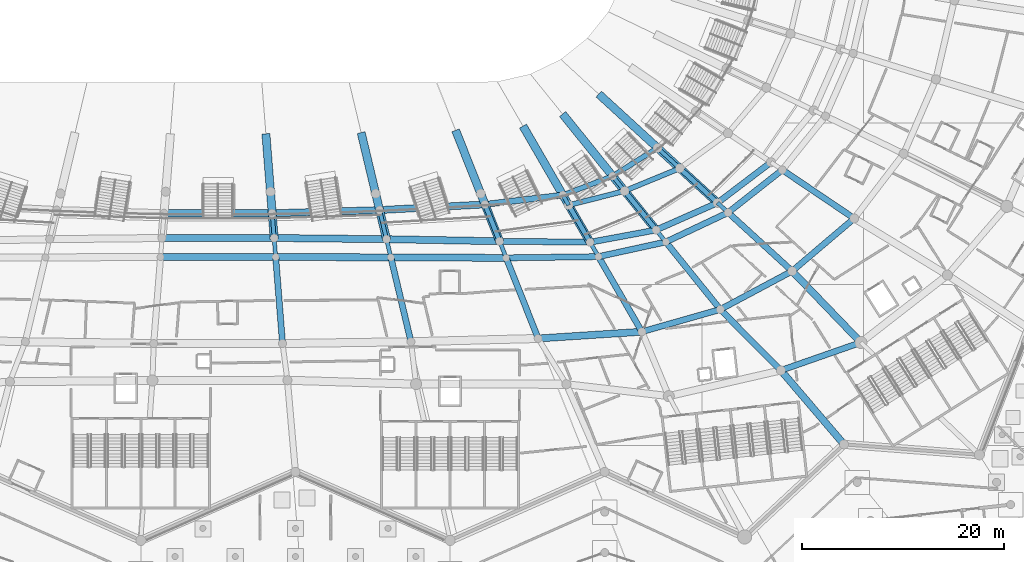
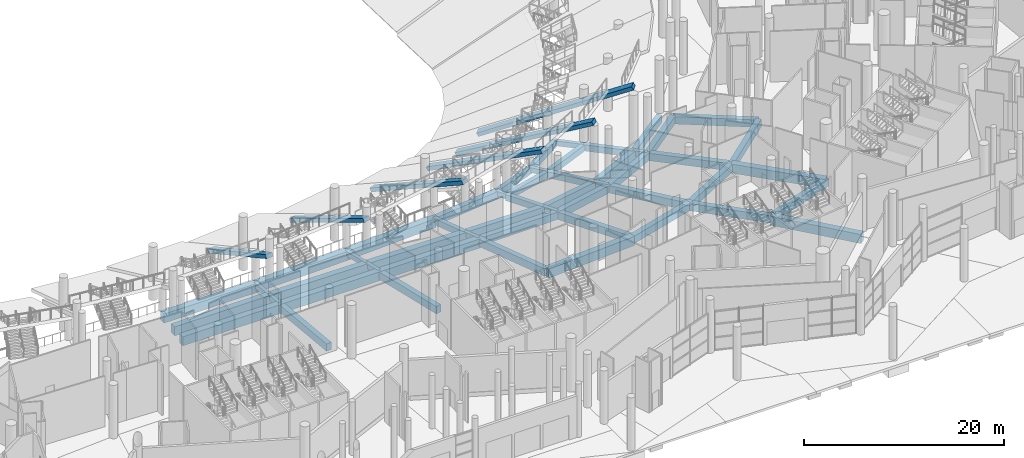
# One storey, part 32 of 255: 64 beams.
"""IFC4 building model written with IfcOpenShell, lengths in metres."""

from ifc_helpers import new_model, si_unit, direction, frame, origin, origin_2d, place, context, subcontext, project, spatial, rectangle, extrude, material, material_profile, profile_set, type_object, element, save


model = new_model("IFC4")

# Units and contexts
model_context = context("Model", 3, precision=1e-05, world=origin(), true_north=direction((0.0, 1.0)))
body_context = subcontext(model_context, "Body", "Model", "MODEL_VIEW")
ifc_project = project(units=[si_unit("LENGTHUNIT", "METRE"), si_unit("AREAUNIT", "SQUARE_METRE"), si_unit("VOLUMEUNIT", "CUBIC_METRE"), si_unit("PLANEANGLEUNIT", "RADIAN"), si_unit("MASSUNIT", "GRAM", prefix="KILO")], contexts=[model_context])

# Site, building, storey
site_placement = place(None, origin())
site = spatial("IfcSite", under=ifc_project, at=site_placement, CompositionType="ELEMENT")
building_placement = place(site_placement, origin())
building = spatial("IfcBuilding", under=site, at=building_placement, Name="Meseta Stadium", CompositionType="ELEMENT")
storey_placement = place(building_placement, origin())
storey = spatial("IfcBuildingStorey", under=building, at=storey_placement, Name="L00", CompositionType="ELEMENT", Elevation=0.0)

# Beams
ifc_material_1 = material(Name="Concrete C40/50", Category="concrete")
ifc_material_profile_1 = material_profile(ifc_material_1, rectangle(XDim=0.39990234375, YDim=0.60009765625, at=origin_2d()), Name="RC 400x600")
ifc_profile_set_1 = profile_set([ifc_material_profile_1], Name="Concrete C40/50")
beam_type_1 = type_object("IfcBeamType", Name="RC beam 400x600", PredefinedType="BEAM", material=ifc_profile_set_1)
beam_1_placement = place(storey_placement, frame((5.36181640625, -72.959228515625, -0.699951171875), z_axis=(0.079091287257, -0.996867377478, 0.0), x_axis=(0.996867377478, 0.079091287257, 0.0)))
element("IfcBeam", 1, at=beam_1_placement, inside=storey, type_object=beam_type_1, Name="L00 radial beam frame 47 line B to C", PredefinedType="BEAM", context=body_context, shape_type="SweptSolid", body=[
    extrude(rectangle(XDim=0.39990234375, YDim=0.60009765625, at=origin_2d()), origin(), (0.0, 0.0, 1.0), 2.46337890625),
])
beam_2_placement = place(storey_placement, frame((5.556640625, -75.414794921875, -0.699951171875), z_axis=(0.079110203973, -0.996865876448, 0.0), x_axis=(0.996865876448, 0.079110203973, 0.0)))
element("IfcBeam", 2, at=beam_2_placement, inside=storey, type_object=beam_type_1, Name="L00 radial beam frame 47 line C to D", PredefinedType="BEAM", context=body_context, shape_type="SweptSolid", body=[
    extrude(rectangle(XDim=0.39990234375, YDim=0.60009765625, at=origin_2d()), origin(), (0.0, 0.0, 1.0), 1.894775390625),
])
beam_3_placement = place(storey_placement, frame((16.010986328125, -72.646484375, -0.699951171875), z_axis=(0.231665078312, -0.972795606225, 0.0), x_axis=(0.972795606225, 0.231665078312, 0.0)))
element("IfcBeam", 3, at=beam_3_placement, inside=storey, type_object=beam_type_1, Name="L00 radial beam frame 48 line B to C", PredefinedType="BEAM", context=body_context, shape_type="SweptSolid", body=[
    extrude(rectangle(XDim=0.39990234375, YDim=0.60009765625, at=origin_2d()), origin(), (0.0, 0.0, 1.0), 2.96337890625),
])
beam_4_placement = place(storey_placement, frame((16.697509765625, -75.529296875, -0.699951171875), z_axis=(0.231608653228, -0.97280904177, 0.0), x_axis=(0.97280904177, 0.231608653228, 0.0)))
element("IfcBeam", 4, at=beam_4_placement, inside=storey, type_object=beam_type_1, Name="L00 radial beam frame 48 line C to D", PredefinedType="BEAM", context=body_context, shape_type="SweptSolid", body=[
    extrude(rectangle(XDim=0.39990234375, YDim=0.60009765625, at=origin_2d()), origin(), (0.0, 0.0, 1.0), 1.85302734375),
])
beam_5_placement = place(storey_placement, frame((27.910888671875, -75.735595703125, -0.699951171875), z_axis=(0.368824744702, -0.929498955188, 0.0), x_axis=(0.929498955188, 0.368824744702, 0.0)))
element("IfcBeam", 5, at=beam_5_placement, inside=storey, type_object=beam_type_1, Name="L00 radial beam frame 49 line C to D", PredefinedType="BEAM", context=body_context, shape_type="SweptSolid", body=[
    extrude(rectangle(XDim=0.39990234375, YDim=0.60009765625, at=origin_2d()), origin(), (0.0, 0.0, 1.0), 1.772705078125),
])
beam_6_placement = place(storey_placement, frame((34.185302734375, -71.16064453125, -0.699951171875), z_axis=(0.500408466565, -0.865789447031, 0.0), x_axis=(0.865789447031, 0.500408466565, 0.0)))
element("IfcBeam", 6, at=beam_6_placement, inside=storey, type_object=beam_type_1, Name="L00 radial beam frame 50 line B to U", PredefinedType="BEAM", context=body_context, shape_type="SweptSolid", body=[
    extrude(rectangle(XDim=0.39990234375, YDim=0.60009765625, at=origin_2d()), origin(), (0.0, 0.0, 1.0), 1.14990234375),
])
beam_7_placement = place(storey_placement, frame((36.885986328125, -75.8330078125, -0.699951171875), z_axis=(0.500371262739, -0.865810949009, 0.0), x_axis=(0.865810949009, 0.500371262739, 0.0)))
element("IfcBeam", 7, at=beam_7_placement, inside=storey, type_object=beam_type_1, Name="L00 radial beam frame 50 line C to D", PredefinedType="BEAM", context=body_context, shape_type="SweptSolid", body=[
    extrude(rectangle(XDim=0.39990234375, YDim=0.60009765625, at=origin_2d()), origin(), (0.0, 0.0, 1.0), 1.650146484375),
])
beam_8_placement = place(storey_placement, frame((39.11865234375, -69.274658203125, -0.699951171875), z_axis=(0.628006940143, -0.778207737775, 0.0), x_axis=(0.778207737775, 0.628006940143, 0.0)))
element("IfcBeam", 8, at=beam_8_placement, inside=storey, type_object=beam_type_1, Name="L00 radial beam frame 51 line B to U", PredefinedType="BEAM", context=body_context, shape_type="SweptSolid", body=[
    extrude(rectangle(XDim=0.39990234375, YDim=0.60009765625, at=origin_2d()), origin(), (0.0, 0.0, 1.0), 1.8935546875),
])
beam_9_placement = place(storey_placement, frame((43.430419921875, -74.617431640625, -0.699951171875), z_axis=(0.628002290607, -0.778211489887, 0.0), x_axis=(0.778211489887, 0.628002290607, 0.0)))
element("IfcBeam", 9, at=beam_9_placement, inside=storey, type_object=beam_type_1, Name="L00 radial beam frame 51 line C to D", PredefinedType="BEAM", context=body_context, shape_type="SweptSolid", body=[
    extrude(rectangle(XDim=0.39990234375, YDim=0.60009765625, at=origin_2d()), origin(), (0.0, 0.0, 1.0), 1.52783203125),
])
beam_10_placement = place(storey_placement, frame((43.5693359375, -66.478759765625, -0.699951171875), z_axis=(0.737617825798, -0.675218440999, 0.0), x_axis=(0.675218440999, 0.737617825798, 0.0)))
element("IfcBeam", 10, at=beam_10_placement, inside=storey, type_object=beam_type_1, Name="L00 radial beam frame 52 line B to U", PredefinedType="BEAM", context=body_context, shape_type="SweptSolid", body=[
    extrude(rectangle(XDim=0.39990234375, YDim=0.60009765625, at=origin_2d()), origin(), (0.0, 0.0, 1.0), 2.9931640625),
])
beam_11_placement = place(storey_placement, frame((49.518310546875, -71.924560546875, -0.699951171875), z_axis=(0.737537238319, -0.675306465313, 0.0), x_axis=(0.675306465313, 0.737537238319, 0.0)))
element("IfcBeam", 11, at=beam_11_placement, inside=storey, type_object=beam_type_1, Name="L00 radial beam frame 52 line C to D", PredefinedType="BEAM", context=body_context, shape_type="SweptSolid", body=[
    extrude(rectangle(XDim=0.39990234375, YDim=0.60009765625, at=origin_2d()), origin(), (0.0, 0.0, 1.0), 1.427978515625),
])
ifc_material_2 = material(Name="Concrete C40/50", Category="concrete")
ifc_material_profile_2 = material_profile(ifc_material_2, rectangle(XDim=0.5, YDim=0.75, at=origin_2d()), Name="RC 500x750")
ifc_profile_set_2 = profile_set([ifc_material_profile_2], Name="Concrete C40/50")
beam_type_2 = type_object("IfcBeamType", Name="RC beam 500x750", PredefinedType="BEAM", material=ifc_profile_set_2)
beam_12_placement = place(storey_placement, frame((34.185302734375, -71.16064453125, -0.77490234375), z_axis=(0.934070428282, 0.357088833497, 0.0), x_axis=(-0.357088833497, 0.934070428282, 0.0)))
element("IfcBeam", 12, at=beam_12_placement, inside=storey, type_object=beam_type_2, Name="L00 ring beam frame 50 line B", PredefinedType="BEAM", context=body_context, shape_type="SweptSolid", body=[
    extrude(rectangle(XDim=0.5, YDim=0.75, at=origin_2d()), origin(), (0.0, 0.0, 1.0), 5.281494140625),
])
beam_13_placement = place(storey_placement, frame((34.7607421875, -72.15625, -0.77490234375), z_axis=(0.969265492961, 0.246017081022, 0.0), x_axis=(-0.246017081022, 0.969265492961, 0.0)))
element("IfcBeam", 13, at=beam_13_placement, inside=storey, type_object=beam_type_2, Name="L00 ring beam frame 50 line U", PredefinedType="BEAM", context=body_context, shape_type="SweptSolid", body=[
    extrude(rectangle(XDim=0.5, YDim=0.75, at=origin_2d()), origin(), (0.0, 0.0, 1.0), 5.722900390625),
])
beam_14_placement = place(storey_placement, frame((39.11865234375, -69.274658203125, -0.77490234375), z_axis=(0.846780026323, 0.531943217853, 0.0), x_axis=(-0.531943217853, 0.846780026323, 0.0)))
element("IfcBeam", 14, at=beam_14_placement, inside=storey, type_object=beam_type_2, Name="L00 ring beam frame 51 line B", PredefinedType="BEAM", context=body_context, shape_type="SweptSolid", body=[
    extrude(rectangle(XDim=0.5, YDim=0.75, at=origin_2d()), origin(), (0.0, 0.0, 1.0), 5.256103515625),
])
beam_15_placement = place(storey_placement, frame((40.307861328125, -70.748291015625, -0.77490234375), z_axis=(0.924886587788, 0.380243079793, 0.0), x_axis=(-0.380243079793, 0.924886587788, 0.0)))
element("IfcBeam", 15, at=beam_15_placement, inside=storey, type_object=beam_type_2, Name="L00 ring beam frame 51 line U", PredefinedType="BEAM", context=body_context, shape_type="SweptSolid", body=[
    extrude(rectangle(XDim=0.5, YDim=0.75, at=origin_2d()), origin(), (0.0, 0.0, 1.0), 5.913330078125),
])
beam_16_placement = place(storey_placement, frame((26.461669921875, -72.08349609375, -0.77490234375), z_axis=(0.368839555562, -0.929493078109, 0.0), x_axis=(0.929493078109, 0.368839555562, 0.0)))
element("IfcBeam", 16, at=beam_16_placement, inside=storey, type_object=beam_type_2, Name="L00 radial beam frame 49 line B to C", PredefinedType="BEAM", context=body_context, shape_type="SweptSolid", body=[
    extrude(rectangle(XDim=0.5, YDim=0.75, at=origin_2d()), origin(), (0.0, 0.0, 1.0), 3.92919921875),
])
beam_17_placement = place(storey_placement, frame((34.7607421875, -72.15625, -0.77490234375), z_axis=(0.500435623827, -0.865773750125, 0.0), x_axis=(0.865773750125, 0.500435623827, 0.0)))
element("IfcBeam", 17, at=beam_17_placement, inside=storey, type_object=beam_type_2, Name="L00 radial beam frame 50 line U to C", PredefinedType="BEAM", context=body_context, shape_type="SweptSolid", body=[
    extrude(rectangle(XDim=0.5, YDim=0.75, at=origin_2d()), origin(), (0.0, 0.0, 1.0), 4.246826171875),
])
beam_18_placement = place(storey_placement, frame((40.307861328125, -70.748291015625, -0.77490234375), z_axis=(0.62803074545, -0.778188526496, 0.0), x_axis=(0.778188526496, 0.62803074545, 0.0)))
element("IfcBeam", 18, at=beam_18_placement, inside=storey, type_object=beam_type_2, Name="L00 radial beam frame 51 line U to C", PredefinedType="BEAM", context=body_context, shape_type="SweptSolid", body=[
    extrude(rectangle(XDim=0.5, YDim=0.75, at=origin_2d()), origin(), (0.0, 0.0, 1.0), 4.971923828125),
])
beam_19_placement = place(storey_placement, frame((45.777099609375, -68.499755859375, -0.77490234375), z_axis=(0.737609522661, -0.675227511347, 0.0), x_axis=(0.675227511347, 0.737609522661, 0.0)))
element("IfcBeam", 19, at=beam_19_placement, inside=storey, type_object=beam_type_2, Name="L00 radial beam frame 52 line U to C", PredefinedType="BEAM", context=body_context, shape_type="SweptSolid", body=[
    extrude(rectangle(XDim=0.5, YDim=0.75, at=origin_2d()), origin(), (0.0, 0.0, 1.0), 5.072021484375),
])
ifc_material_3 = material(Name="Concrete C40/50", Category="concrete")
ifc_material_profile_3 = material_profile(ifc_material_3, rectangle(XDim=0.60009765625, YDim=0.89990234375, at=origin_2d()), Name="RC 600x900")
ifc_profile_set_3 = profile_set([ifc_material_profile_3], Name="Concrete C40/50")
beam_type_3 = type_object("IfcBeamType", Name="RC beam 600x900", PredefinedType="BEAM", material=ifc_profile_set_3)
beam_20_placement = place(storey_placement, frame((26.461669921875, -72.08349609375, -0.85009765625), z_axis=(0.992937304474, 0.118640251957, 0.0), x_axis=(-0.118640251957, 0.992937304474, 0.0)))
element("IfcBeam", 20, at=beam_20_placement, inside=storey, type_object=beam_type_3, Name="L00 ring beam frame 49 line B", PredefinedType="BEAM", context=body_context, shape_type="SweptSolid", body=[
    extrude(rectangle(XDim=0.60009765625, YDim=0.89990234375, at=origin_2d()), origin(), (0.0, 0.0, 1.0), 7.778564453125),
])
beam_21_placement = place(storey_placement, frame((27.910888671875, -75.735595703125, -0.85009765625), z_axis=(0.9999411049, -0.010852959601, 0.0), x_axis=(0.010852959601, 0.9999411049, 0.0)))
element("IfcBeam", 21, at=beam_21_placement, inside=storey, type_object=beam_type_3, Name="L00 ring beam frame 49 line C", PredefinedType="BEAM", context=body_context, shape_type="SweptSolid", body=[
    extrude(rectangle(XDim=0.60009765625, YDim=0.89990234375, at=origin_2d()), origin(), (0.0, 0.0, 1.0), 8.9755859375),
])
beam_22_placement = place(storey_placement, frame((28.564697265625, -77.38330078125, -0.85009765625), z_axis=(0.999911672388, 0.013290877405, 0.0), x_axis=(-0.013290877405, 0.999911672388, 0.0)))
element("IfcBeam", 22, at=beam_22_placement, inside=storey, type_object=beam_type_3, Name="L00 ring beam frame 49 line D", PredefinedType="BEAM", context=body_context, shape_type="SweptSolid", body=[
    extrude(rectangle(XDim=0.60009765625, YDim=0.89990234375, at=origin_2d()), origin(), (0.0, 0.0, 1.0), 9.147705078125),
])
beam_23_placement = place(storey_placement, frame((36.885986328125, -75.8330078125, -0.85009765625), z_axis=(0.983183844392, 0.182618531718, 0.0), x_axis=(-0.182618531718, 0.983183844392, 0.0)))
element("IfcBeam", 23, at=beam_23_placement, inside=storey, type_object=beam_type_3, Name="L00 ring beam frame 50 line C", PredefinedType="BEAM", context=body_context, shape_type="SweptSolid", body=[
    extrude(rectangle(XDim=0.60009765625, YDim=0.89990234375, at=origin_2d()), origin(), (0.0, 0.0, 1.0), 6.65625),
])
beam_24_placement = place(storey_placement, frame((37.711669921875, -77.26171875, -0.85009765625), z_axis=(0.977068887475, 0.212923434899, 0.0), x_axis=(-0.212923434899, 0.977068887475, 0.0)))
element("IfcBeam", 24, at=beam_24_placement, inside=storey, type_object=beam_type_3, Name="L00 ring beam frame 50 line D", PredefinedType="BEAM", context=body_context, shape_type="SweptSolid", body=[
    extrude(rectangle(XDim=0.60009765625, YDim=0.89990234375, at=origin_2d()), origin(), (0.0, 0.0, 1.0), 6.8349609375),
])
beam_25_placement = place(storey_placement, frame((42.015380859375, -84.707275390625, -0.85009765625), z_axis=(0.961951325549, 0.273220876351, 0.0), x_axis=(-0.273220876351, 0.961951325549, 0.0)))
element("IfcBeam", 25, at=beam_25_placement, inside=storey, type_object=beam_type_3, Name="L00 ring beam frame 50 line E", PredefinedType="BEAM", context=body_context, shape_type="SweptSolid", body=[
    extrude(rectangle(XDim=0.60009765625, YDim=0.89990234375, at=origin_2d()), origin(), (0.0, 0.0, 1.0), 8.083251953125),
])
beam_26_placement = place(storey_placement, frame((43.430419921875, -74.617431640625, -0.85009765625), z_axis=(0.914526988421, 0.404524891013, 0.0), x_axis=(-0.404524891013, 0.914526988421, 0.0)))
element("IfcBeam", 26, at=beam_26_placement, inside=storey, type_object=beam_type_3, Name="L00 ring beam frame 51 line C", PredefinedType="BEAM", context=body_context, shape_type="SweptSolid", body=[
    extrude(rectangle(XDim=0.60009765625, YDim=0.89990234375, at=origin_2d()), origin(), (0.0, 0.0, 1.0), 6.656982421875),
])
beam_27_placement = place(storey_placement, frame((44.389892578125, -75.806396484375, -0.85009765625), z_axis=(0.904340564666, 0.426811601412, 0.0), x_axis=(-0.426811601412, 0.904340564666, 0.0)))
element("IfcBeam", 27, at=beam_27_placement, inside=storey, type_object=beam_type_3, Name="L00 ring beam frame 51 line D", PredefinedType="BEAM", context=body_context, shape_type="SweptSolid", body=[
    extrude(rectangle(XDim=0.60009765625, YDim=0.89990234375, at=origin_2d()), origin(), (0.0, 0.0, 1.0), 6.83544921875),
])
beam_28_placement = place(storey_placement, frame((49.791015625, -82.498779296875, -0.85009765625), z_axis=(0.882172948557, 0.47092556613, 0.0), x_axis=(-0.47092556613, 0.882172948557, 0.0)))
element("IfcBeam", 28, at=beam_28_placement, inside=storey, type_object=beam_type_3, Name="L00 ring beam frame 51 line E", PredefinedType="BEAM", context=body_context, shape_type="SweptSolid", body=[
    extrude(rectangle(XDim=0.60009765625, YDim=0.89990234375, at=origin_2d()), origin(), (0.0, 0.0, 1.0), 8.075439453125),
])
beam_29_placement = place(storey_placement, frame((55.799560546875, -88.541748046875, -0.85009765625), z_axis=(0.944055708451, 0.329786020537, 0.0), x_axis=(-0.329786020537, 0.944055708451, 0.0)))
element("IfcBeam", 29, at=beam_29_placement, inside=storey, type_object=beam_type_3, Name="L00 ring beam frame 51 line P", PredefinedType="BEAM", context=body_context, shape_type="SweptSolid", body=[
    extrude(rectangle(XDim=0.60009765625, YDim=0.89990234375, at=origin_2d()), origin(), (0.0, 0.0, 1.0), 8.401611328125),
])
beam_30_placement = place(storey_placement, frame((49.518310546875, -71.924560546875, -0.85009765625), z_axis=(0.796597456173, 0.604510126316, 0.0), x_axis=(-0.604510126316, 0.796597456173, 0.0)))
element("IfcBeam", 30, at=beam_30_placement, inside=storey, type_object=beam_type_3, Name="L00 ring beam frame 52 line C", PredefinedType="BEAM", context=body_context, shape_type="SweptSolid", body=[
    extrude(rectangle(XDim=0.60009765625, YDim=0.89990234375, at=origin_2d()), origin(), (0.0, 0.0, 1.0), 6.65478515625),
])
beam_31_placement = place(storey_placement, frame((50.571533203125, -72.888916015625, -0.85009765625), z_axis=(0.785430108596, 0.618950357065, 0.0), x_axis=(-0.618950357065, 0.785430108596, 0.0)))
element("IfcBeam", 31, at=beam_31_placement, inside=storey, type_object=beam_type_3, Name="L00 ring beam frame 52 line D", PredefinedType="BEAM", context=body_context, shape_type="SweptSolid", body=[
    extrude(rectangle(XDim=0.60009765625, YDim=0.89990234375, at=origin_2d()), origin(), (0.0, 0.0, 1.0), 6.835205078125),
])
beam_32_placement = place(storey_placement, frame((56.9150390625, -78.69580078125, -0.85009765625), z_axis=(0.762201166724, 0.647340236231, 0.0), x_axis=(-0.647340236231, 0.762201166724, 0.0)))
element("IfcBeam", 32, at=beam_32_placement, inside=storey, type_object=beam_type_3, Name="L00 ring beam frame 52 line E", PredefinedType="BEAM", context=body_context, shape_type="SweptSolid", body=[
    extrude(rectangle(XDim=0.60009765625, YDim=0.89990234375, at=origin_2d()), origin(), (0.0, 0.0, 1.0), 8.07275390625),
])
beam_33_placement = place(storey_placement, frame((5.70654296875, -77.3037109375, -0.85009765625), z_axis=(0.079118987749, -0.996865179338, 0.0), x_axis=(0.996865179338, 0.079118987749, 0.0)))
element("IfcBeam", 33, at=beam_33_placement, inside=storey, type_object=beam_type_3, Name="L00 radial beam frame 47 line D to E", PredefinedType="BEAM", context=body_context, shape_type="SweptSolid", body=[
    extrude(rectangle(XDim=0.60009765625, YDim=0.89990234375, at=origin_2d()), origin(), (0.0, 0.0, 1.0), 8.599853515625),
])
beam_34_placement = place(storey_placement, frame((17.126708984375, -77.33203125, -0.85009765625), z_axis=(0.23161924801, -0.972806519279, 0.0), x_axis=(0.972806519279, 0.23161924801, 0.0)))
element("IfcBeam", 34, at=beam_34_placement, inside=storey, type_object=beam_type_3, Name="L00 radial beam frame 48 line D to E", PredefinedType="BEAM", context=body_context, shape_type="SweptSolid", body=[
    extrude(rectangle(XDim=0.60009765625, YDim=0.89990234375, at=origin_2d()), origin(), (0.0, 0.0, 1.0), 8.60009765625),
])
for number, where, z_axis, x_axis, name in (
    (35, (28.564697265625, -77.38330078125, -0.85009765625), (0.36885875695, -0.929485458424, 0.0), (0.929485458424, 0.36885875695, 0.0), "L00 radial beam frame 49 line D to E"),
    (36, (37.711669921875, -77.26171875, -0.85009765625), (0.500437453612, -0.865772692467, 0.0), (0.865772692467, 0.500437453612, 0.0), "L00 radial beam frame 50 line D to E"),
):
    element("IfcBeam", number, at=place(storey_placement, frame(where, z_axis=z_axis, x_axis=x_axis)), inside=storey, type_object=beam_type_3, Name=name, PredefinedType="BEAM", context=body_context, shape_type="SweptSolid", body=[
        extrude(rectangle(XDim=0.60009765625, YDim=0.89990234375, at=origin_2d()), origin(), (0.0, 0.0, 1.0), 8.599853515625),
    ])
beam_35_placement = place(storey_placement, frame((44.389892578125, -75.806396484375, -0.85009765625), z_axis=(0.628037063111, -0.778183427836, 0.0), x_axis=(0.778183427836, 0.628037063111, 0.0)))
element("IfcBeam", 37, at=beam_35_placement, inside=storey, type_object=beam_type_3, Name="L00 radial beam frame 51 line D to E", PredefinedType="BEAM", context=body_context, shape_type="SweptSolid", body=[
    extrude(rectangle(XDim=0.60009765625, YDim=0.89990234375, at=origin_2d()), origin(), (0.0, 0.0, 1.0), 8.60009765625),
])
beam_36_placement = place(storey_placement, frame((49.791015625, -82.498779296875, -0.85009765625), z_axis=(0.705084131782, -0.709123661366, 0.0), x_axis=(0.709123661366, 0.705084131782, 0.0)))
element("IfcBeam", 38, at=beam_36_placement, inside=storey, type_object=beam_type_3, Name="L00 radial beam frame 51 line E to P", PredefinedType="BEAM", context=body_context, shape_type="SweptSolid", body=[
    extrude(rectangle(XDim=0.60009765625, YDim=0.89990234375, at=origin_2d()), origin(), (0.0, 0.0, 1.0), 8.521728515625),
])
for number, where, z_axis, x_axis, name in (
    (39, (50.571533203125, -72.888916015625, -0.85009765625), (0.737617073742, -0.675219262554, 0.0), (0.675219262554, 0.737617073742, 0.0), "L00 radial beam frame 52 line D to E"),
    (40, (55.940185546875, -68.658203125, -0.85009765625), (0.828826294275, -0.559506008832, 0.0), (0.559506008832, 0.828826294275, 0.0), "L00 radial beam frame 53 line D to E"),
):
    element("IfcBeam", number, at=place(storey_placement, frame(where, z_axis=z_axis, x_axis=x_axis)), inside=storey, type_object=beam_type_3, Name=name, PredefinedType="BEAM", context=body_context, shape_type="SweptSolid", body=[
        extrude(rectangle(XDim=0.60009765625, YDim=0.89990234375, at=origin_2d()), origin(), (0.0, 0.0, 1.0), 8.60009765625),
    ])
ifc_material_4 = material(Name="Concrete C40/50", Category="concrete")
ifc_material_profile_4 = material_profile(ifc_material_4, rectangle(XDim=0.699951171875, YDim=1.10009765625, at=origin_2d()), Name="RC 700x1100")
ifc_profile_set_4 = profile_set([ifc_material_profile_4], Name="Concrete C40/50")
beam_type_4 = type_object("IfcBeamType", Name="RC beam 700x1100", PredefinedType="BEAM", material=ifc_profile_set_4)
beam_37_placement = place(storey_placement, frame((-5.36181640625, -72.959228515625, -0.949951171875), z_axis=(1.0, 0.0, 0.0), x_axis=(0.0, 1.0, 0.0)))
element("IfcBeam", 41, at=beam_37_placement, inside=storey, type_object=beam_type_4, Name="L00 ring beam frame 46 line B", PredefinedType="BEAM", context=body_context, shape_type="SweptSolid", body=[
    extrude(rectangle(XDim=0.699951171875, YDim=1.10009765625, at=origin_2d()), origin(), (0.0, 0.0, 1.0), 10.7236328125),
])
beam_38_placement = place(storey_placement, frame((-5.556640625, -75.414794921875, -0.949951171875), z_axis=(1.0, 0.0, 0.0), x_axis=(0.0, 1.0, 0.0)))
element("IfcBeam", 42, at=beam_38_placement, inside=storey, type_object=beam_type_4, Name="L00 ring beam frame 46 line C", PredefinedType="BEAM", context=body_context, shape_type="SweptSolid", body=[
    extrude(rectangle(XDim=0.699951171875, YDim=1.10009765625, at=origin_2d()), origin(), (0.0, 0.0, 1.0), 11.11328125),
])
beam_39_placement = place(storey_placement, frame((-5.70654296875, -77.3037109375, -0.949951171875), z_axis=(1.0, 0.0, 0.0), x_axis=(0.0, 1.0, 0.0)))
element("IfcBeam", 43, at=beam_39_placement, inside=storey, type_object=beam_type_4, Name="L00 ring beam frame 46 line D", PredefinedType="BEAM", context=body_context, shape_type="SweptSolid", body=[
    extrude(rectangle(XDim=0.699951171875, YDim=1.10009765625, at=origin_2d()), origin(), (0.0, 0.0, 1.0), 11.4130859375),
])
beam_40_placement = place(storey_placement, frame((5.36181640625, -72.959228515625, -0.949951171875), z_axis=(0.999569040917, 0.029355279612, 0.0), x_axis=(-0.029355279612, 0.999569040917, 0.0)))
element("IfcBeam", 44, at=beam_40_placement, inside=storey, type_object=beam_type_4, Name="L00 ring beam frame 47 line B", PredefinedType="BEAM", context=body_context, shape_type="SweptSolid", body=[
    extrude(rectangle(XDim=0.699951171875, YDim=1.10009765625, at=origin_2d()), origin(), (0.0, 0.0, 1.0), 10.65380859375),
])
beam_41_placement = place(storey_placement, frame((5.556640625, -75.414794921875, -0.949951171875), z_axis=(0.99994718914, -0.010277107175, 0.0), x_axis=(0.010277107175, 0.99994718914, 0.0)))
element("IfcBeam", 45, at=beam_41_placement, inside=storey, type_object=beam_type_4, Name="L00 ring beam frame 47 line C", PredefinedType="BEAM", context=body_context, shape_type="SweptSolid", body=[
    extrude(rectangle(XDim=0.699951171875, YDim=1.10009765625, at=origin_2d()), origin(), (0.0, 0.0, 1.0), 11.141357421875),
])
beam_42_placement = place(storey_placement, frame((5.70654296875, -77.3037109375, -0.949951171875), z_axis=(0.999996925183, -0.002479843584, 0.0), x_axis=(0.002479843584, 0.999996925183, 0.0)))
element("IfcBeam", 46, at=beam_42_placement, inside=storey, type_object=beam_type_4, Name="L00 ring beam frame 47 line D", PredefinedType="BEAM", context=body_context, shape_type="SweptSolid", body=[
    extrude(rectangle(XDim=0.699951171875, YDim=1.10009765625, at=origin_2d()), origin(), (0.0, 0.0, 1.0), 11.420166015625),
])
beam_43_placement = place(storey_placement, frame((16.010986328125, -72.646484375, -0.949951171875), z_axis=(0.998552110885, 0.053792953504, 0.0), x_axis=(-0.053792953504, 0.998552110885, 0.0)))
element("IfcBeam", 47, at=beam_43_placement, inside=storey, type_object=beam_type_4, Name="L00 ring beam frame 48 line B", PredefinedType="BEAM", context=body_context, shape_type="SweptSolid", body=[
    extrude(rectangle(XDim=0.699951171875, YDim=1.10009765625, at=origin_2d()), origin(), (0.0, 0.0, 1.0), 10.4658203125),
])
beam_44_placement = place(storey_placement, frame((16.697509765625, -75.529296875, -0.949951171875), z_axis=(0.999830807814, -0.018394448783, 0.0), x_axis=(0.018394448783, 0.999830807814, 0.0)))
element("IfcBeam", 48, at=beam_44_placement, inside=storey, type_object=beam_type_4, Name="L00 ring beam frame 48 line C", PredefinedType="BEAM", context=body_context, shape_type="SweptSolid", body=[
    extrude(rectangle(XDim=0.699951171875, YDim=1.10009765625, at=origin_2d()), origin(), (0.0, 0.0, 1.0), 11.21533203125),
])
beam_45_placement = place(storey_placement, frame((17.126708984375, -77.33203125, -0.949951171875), z_axis=(0.999989954239, -0.004482345579, 0.0), x_axis=(0.004482345579, 0.999989954239, 0.0)))
element("IfcBeam", 49, at=beam_45_placement, inside=storey, type_object=beam_type_4, Name="L00 ring beam frame 48 line D", PredefinedType="BEAM", context=body_context, shape_type="SweptSolid", body=[
    extrude(rectangle(XDim=0.699951171875, YDim=1.10009765625, at=origin_2d()), origin(), (0.0, 0.0, 1.0), 11.43798828125),
])
beam_46_placement = place(storey_placement, frame((31.73681640625, -85.376708984375, -0.949951171875), z_axis=(0.997885824096, 0.064991399959, 0.0), x_axis=(-0.064991399959, 0.997885824096, 0.0)))
element("IfcBeam", 50, at=beam_46_placement, inside=storey, type_object=beam_type_4, Name="L00 ring beam frame 49 line E", PredefinedType="BEAM", context=body_context, shape_type="SweptSolid", body=[
    extrude(rectangle(XDim=0.699951171875, YDim=1.10009765625, at=origin_2d()), origin(), (0.0, 0.0, 1.0), 10.30029296875),
])
beam_47_placement = place(storey_placement, frame((55.799560546875, -88.541748046875, -0.949951171875), z_axis=(0.648886206148, -0.760885465409, 0.0), x_axis=(0.760885465409, 0.648886206148, 0.0)))
element("IfcBeam", 51, at=beam_47_placement, inside=storey, type_object=beam_type_4, Name="L00 radial beam frame 51 line P to R", PredefinedType="BEAM", context=body_context, shape_type="SweptSolid", body=[
    extrude(rectangle(XDim=0.699951171875, YDim=1.10009765625, at=origin_2d()), origin(), (0.0, 0.0, 1.0), 9.635009765625),
])
beam_48_placement = place(storey_placement, frame((56.9150390625, -78.69580078125, -0.949951171875), z_axis=(0.69380069558, -0.72016706035, 0.0), x_axis=(0.72016706035, 0.69380069558, 0.0)))
element("IfcBeam", 52, at=beam_48_placement, inside=storey, type_object=beam_type_4, Name="L00 radial beam frame 52 line E to P", PredefinedType="BEAM", context=body_context, shape_type="SweptSolid", body=[
    extrude(rectangle(XDim=0.699951171875, YDim=1.10009765625, at=origin_2d()), origin(), (0.0, 0.0, 1.0), 9.824462890625),
])
ifc_material_5 = material(Name="Concrete C40/50", Category="concrete")
ifc_material_profile_5 = material_profile(ifc_material_5, rectangle(XDim=0.800048828125, YDim=0.449951171875, at=origin_2d()), Name="RC 800x450")
ifc_profile_set_5 = profile_set([ifc_material_profile_5], Name="Concrete C40/50")
beam_type_5 = type_object("IfcBeamType", Name="RC raker lower 800x450", PredefinedType="USERDEFINED", material=ifc_profile_set_5)
beam_49_placement = place(storey_placement, frame((4.74462890625, -65.18359375, -1.001708984375), z_axis=(0.070539823513, -0.888632542225, 0.453162595762), x_axis=(0.996864204144, 0.079131273823, 0.0)))
element("IfcBeam", 53, at=beam_49_placement, inside=storey, type_object=beam_type_5, Name="Raker lower frame 47 lower tier", ObjectType="RAKER", PredefinedType="USERDEFINED", context=body_context, shape_type="SweptSolid", body=[
    extrude(rectangle(XDim=0.800048828125, YDim=0.449951171875, at=origin_2d()), origin(), (0.0, 0.0, 1.0), 6.347412109375),
])
beam_50_placement = place(storey_placement, frame((5.1923828125, -70.82421875, 1.874755859375), z_axis=(0.070510288867, -0.888609223564, 0.453212915704), x_axis=(0.99686665348, 0.079100412008, 0.0)))
element("IfcBeam", 54, at=beam_50_placement, inside=storey, type_object=beam_type_5, Name="Raker lower frame 47 lower tier", ObjectType="RAKER", PredefinedType="USERDEFINED", context=body_context, shape_type="SweptSolid", body=[
    extrude(rectangle(XDim=0.800048828125, YDim=0.449951171875, at=origin_2d()), origin(), (0.0, 0.0, 1.0), 5.166015625),
])
beam_51_placement = place(storey_placement, frame((14.204345703125, -65.05859375, -0.65478515625), z_axis=(0.206461177483, -0.867115598416, 0.453303784647), x_axis=(0.972804929857, 0.231625923517, 0.0)))
element("IfcBeam", 55, at=beam_51_placement, inside=storey, type_object=beam_type_5, Name="Raker lower frame 48 lower tier", ObjectType="RAKER", PredefinedType="USERDEFINED", context=body_context, shape_type="SweptSolid", body=[
    extrude(rectangle(XDim=0.800048828125, YDim=0.449951171875, at=origin_2d()), origin(), (0.0, 0.0, 1.0), 6.862060546875),
])
beam_52_placement = place(storey_placement, frame((15.62109375, -71.0087890625, 2.455810546875), z_axis=(0.206482744858, -0.867143230619, 0.453241098829), x_axis=(0.972801141001, 0.231641835746, 0.0)))
element("IfcBeam", 56, at=beam_52_placement, inside=storey, type_object=beam_type_5, Name="Raker lower frame 48 lower tier", ObjectType="RAKER", PredefinedType="USERDEFINED", context=body_context, shape_type="SweptSolid", body=[
    extrude(rectangle(XDim=0.800048828125, YDim=0.449951171875, at=origin_2d()), origin(), (0.0, 0.0, 1.0), 5.213134765625),
])
beam_53_placement = place(storey_placement, frame((23.584716796875, -64.83349609375, -0.331298828125), z_axis=(0.328763872797, -0.828437838917, 0.453436944894), x_axis=(0.929483518475, 0.368863645381, 0.0)))
element("IfcBeam", 57, at=beam_53_placement, inside=storey, type_object=beam_type_5, Name="Raker lower frame 49 lower tier", ObjectType="RAKER", PredefinedType="USERDEFINED", context=body_context, shape_type="SweptSolid", body=[
    extrude(rectangle(XDim=0.800048828125, YDim=0.449951171875, at=origin_2d()), origin(), (0.0, 0.0, 1.0), 7.4609375),
])
beam_54_placement = place(storey_placement, frame((26.03759765625, -71.014404296875, 3.0517578125), z_axis=(0.32871917262, -0.82845971069, 0.453429391764), x_axis=(0.929504050657, 0.368811903025, 0.0)))
element("IfcBeam", 58, at=beam_54_placement, inside=storey, type_object=beam_type_5, Name="Raker lower frame 49 lower tier", ObjectType="RAKER", PredefinedType="USERDEFINED", context=body_context, shape_type="SweptSolid", body=[
    extrude(rectangle(XDim=0.800048828125, YDim=0.449951171875, at=origin_2d()), origin(), (0.0, 0.0, 1.0), 5.69873046875),
])
beam_55_placement = place(storey_placement, frame((30.28173828125, -64.40771484375, -0.35009765625), z_axis=(0.446051134822, -0.771654361549, 0.453418053706), x_axis=(0.865764748556, 0.500451196579, 0.0)))
element("IfcBeam", 59, at=beam_55_placement, inside=storey, type_object=beam_type_5, Name="Raker lower frame 50 lower tier", ObjectType="RAKER", PredefinedType="USERDEFINED", context=body_context, shape_type="SweptSolid", body=[
    extrude(rectangle(XDim=0.800048828125, YDim=0.449951171875, at=origin_2d()), origin(), (0.0, 0.0, 1.0), 10.04150390625),
])
beam_56_placement = place(storey_placement, frame((34.7607421875, -72.15625, 4.202880859375), z_axis=(0.446037730882, -0.771663208165, 0.453416183868), x_axis=(0.865773750125, 0.500435623827, 0.0)))
element("IfcBeam", 60, at=beam_56_placement, inside=storey, type_object=beam_type_5, Name="Raker lower frame 50 lower tier", ObjectType="RAKER", PredefinedType="USERDEFINED", context=body_context, shape_type="SweptSolid", body=[
    extrude(rectangle(XDim=0.800048828125, YDim=0.449951171875, at=origin_2d()), origin(), (0.0, 0.0, 1.0), 4.7646484375),
])
beam_57_placement = place(storey_placement, frame((34.219970703125, -63.204833984375, -0.68359375), z_axis=(0.559800472528, -0.693644329491, 0.453300093892), x_axis=(0.778188287277, 0.628031041865, 0.0)))
element("IfcBeam", 61, at=beam_57_placement, inside=storey, type_object=beam_type_5, Name="Raker lower frame 51 lower tier", ObjectType="RAKER", PredefinedType="USERDEFINED", context=body_context, shape_type="SweptSolid", body=[
    extrude(rectangle(XDim=0.800048828125, YDim=0.449951171875, at=origin_2d()), origin(), (0.0, 0.0, 1.0), 10.875),
])
beam_58_placement = place(storey_placement, frame((40.307861328125, -70.748291015625, 4.24609375), z_axis=(0.559786273019, -0.693627275591, 0.453343722903), x_axis=(0.778188526496, 0.62803074545, 0.0)))
element("IfcBeam", 62, at=beam_58_placement, inside=storey, type_object=beam_type_5, Name="Raker lower frame 51 lower tier", ObjectType="RAKER", PredefinedType="USERDEFINED", context=body_context, shape_type="SweptSolid", body=[
    extrude(rectangle(XDim=0.800048828125, YDim=0.449951171875, at=origin_2d()), origin(), (0.0, 0.0, 1.0), 5.578125),
])
beam_59_placement = place(storey_placement, frame((37.816162109375, -61.2119140625, -0.74169921875), z_axis=(0.65744286386, -0.601856198758, 0.453362985671), x_axis=(0.675236907747, 0.737600920834, 0.0)))
element("IfcBeam", 63, at=beam_59_placement, inside=storey, type_object=beam_type_5, Name="Raker lower frame 52 lower tier", ObjectType="RAKER", PredefinedType="USERDEFINED", context=body_context, shape_type="SweptSolid", body=[
    extrude(rectangle(XDim=0.800048828125, YDim=0.449951171875, at=origin_2d()), origin(), (0.0, 0.0, 1.0), 12.10888671875),
])
beam_60_placement = place(storey_placement, frame((45.777099609375, -68.499755859375, 4.748046875), z_axis=(0.657451593534, -0.601848796274, 0.453360153281), x_axis=(0.675227511347, 0.737609522661, 0.0)))
element("IfcBeam", 64, at=beam_60_placement, inside=storey, type_object=beam_type_5, Name="Raker lower frame 52 lower tier", ObjectType="RAKER", PredefinedType="USERDEFINED", context=body_context, shape_type="SweptSolid", body=[
    extrude(rectangle(XDim=0.800048828125, YDim=0.449951171875, at=origin_2d()), origin(), (0.0, 0.0, 1.0), 5.6904296875),
])

save(model, "model.ifc")
